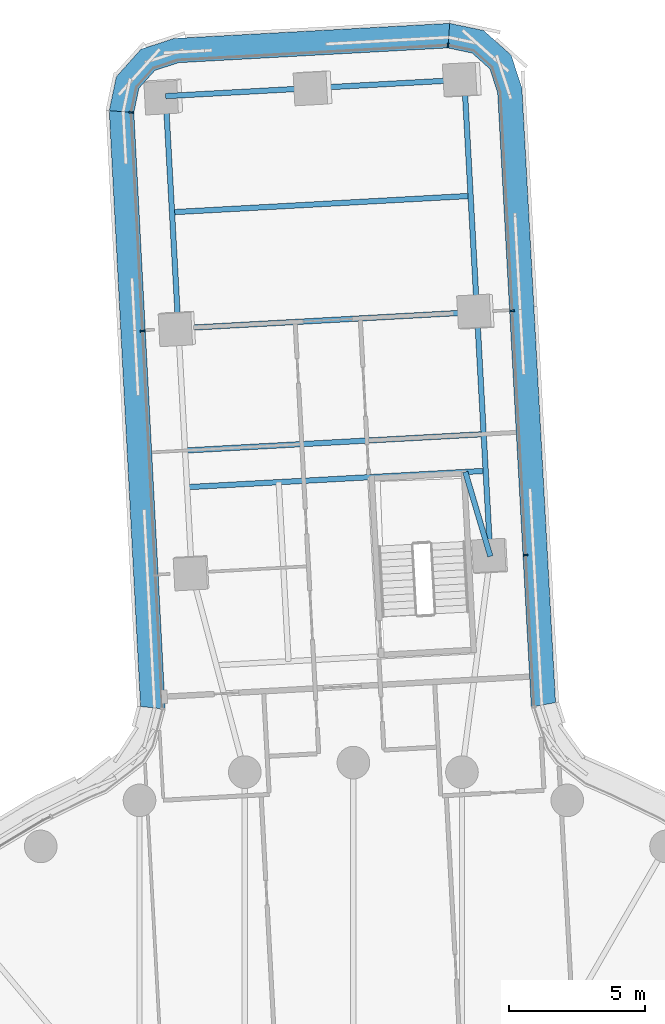
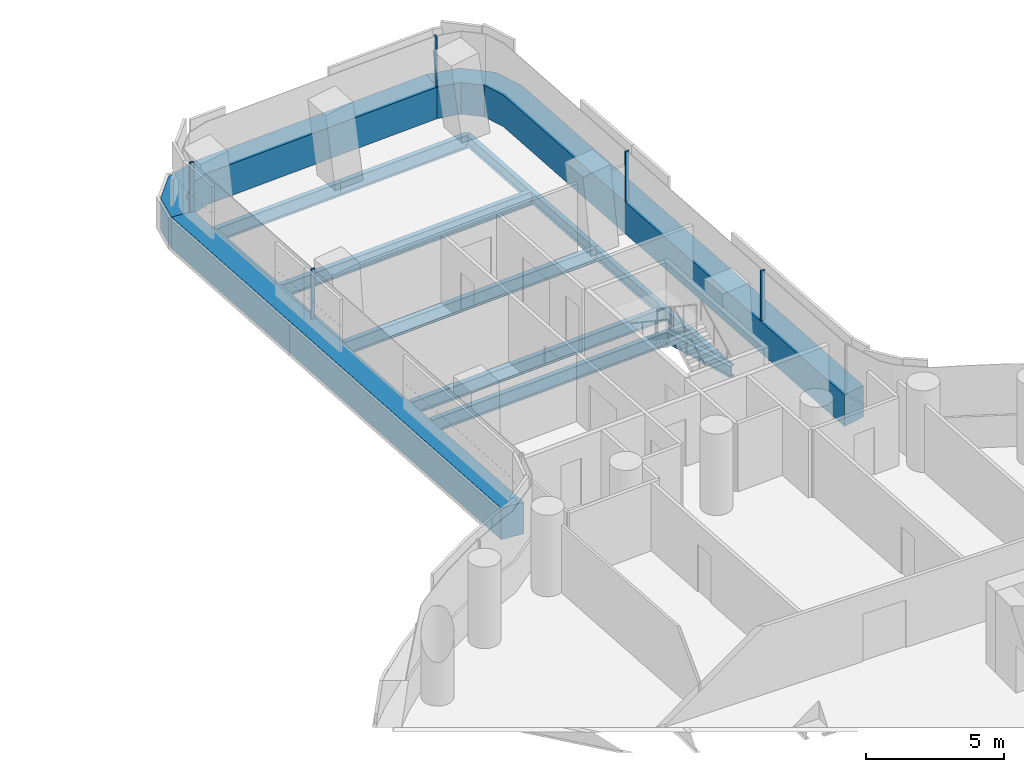
# One storey, part 15 of 31: 10 beams, 8 members, 3 elements without a shape of their own.
"""IFC4 building model written with IfcOpenShell, lengths in metres."""

import ifcopenshell
import ifcopenshell.guid

model = None  # the IFC model being written
_history = None  # IfcOwnerHistory: only IFC2X3 demands one
_inside = {}  # id of a spatial element -> (the spatial element, [elements in it])
_under = {}  # id of a project, library or spatial element -> (it, [spatial elements below it])
_declared = {}  # id of a project -> (the project, [libraries it declares])
_typed = {}  # id of a type object -> (the type object, [elements of that type])
_made_of = {}  # id of a material, layer set ... -> (it, [elements and type objects made of it])


def new_model(schema):
    """Start an empty IFC model of exactly this schema.

    Asked for "IFC4X3", IfcOpenShell would pick the latest addendum, in which some entities
    have other attributes; the version numbers below select the first issue.
    IFC2X3 requires an IfcOwnerHistory on every rooted entity: one is made here for all.
    """
    global model, _history
    if schema == "IFC4X3":
        model = ifcopenshell.file(schema_version=(4, 3, 0, 0))
    else:
        model = ifcopenshell.file(schema=schema)
    _inside.clear()
    _under.clear()
    _declared.clear()
    _typed.clear()
    _made_of.clear()
    _history = None
    if model.schema == "IFC2X3":
        org = make("IfcOrganization", Name="unknown")
        user = make(
            "IfcPersonAndOrganization",
            ThePerson=make("IfcPerson", FamilyName="unknown"),
            TheOrganization=org,
        )
        app = make(
            "IfcApplication",
            ApplicationDeveloper=org,
            Version="unknown",
            ApplicationFullName="unknown",
            ApplicationIdentifier="unknown",
        )
        _history = make(
            "IfcOwnerHistory",
            OwningUser=user,
            OwningApplication=app,
            ChangeAction="ADDED",
            CreationDate=0,
        )
    return model


def make(cls, **values):
    """One entity of the class cls with the attributes given. An attribute that is None is left unset."""
    return model.create_entity(
        cls, **{name: value for name, value in values.items() if value is not None}
    )


def rooted(cls, **values):
    """An entity with a GlobalId (a new one), such as an element, a storey or a relation."""
    return make(cls, GlobalId=ifcopenshell.guid.new(), OwnerHistory=_history, **values)


def si_unit(unit_type, name, prefix=None):
    """IfcSIUnit, for example si_unit("LENGTHUNIT", "METRE", prefix="MILLI")."""
    return make("IfcSIUnit", UnitType=unit_type, Prefix=prefix, Name=name)


def assignment(units):
    """IfcUnitAssignment: the units of a project."""
    return None if units is None else make("IfcUnitAssignment", Units=units)


def point(xyz):
    """IfcCartesianPoint."""
    return None if xyz is None else make("IfcCartesianPoint", Coordinates=xyz)


def direction(xyz):
    """IfcDirection."""
    return None if xyz is None else make("IfcDirection", DirectionRatios=xyz)


def frame(location, z_axis=None, x_axis=None):
    """IfcAxis2Placement3D, a coordinate frame: its origin and axes. An axis left out is left unset."""
    return make(
        "IfcAxis2Placement3D",
        Location=point(location),
        Axis=direction(z_axis),
        RefDirection=direction(x_axis),
    )


def frame_2d(location, x_axis=None):
    """IfcAxis2Placement2D, a coordinate frame in the plane: its origin and x axis."""
    return make(
        "IfcAxis2Placement2D", Location=point(location), RefDirection=direction(x_axis)
    )


def origin():
    """The frame at (0, 0, 0) with its axes left unset."""
    return frame((0.0, 0.0, 0.0))


def origin_2d():
    """The frame at (0, 0) in the plane with its x axis left unset."""
    return frame_2d((0.0, 0.0))


def place(relative_to, where):
    """IfcLocalPlacement: puts the frame where relative to a parent placement (None: the world)."""
    return make(
        "IfcLocalPlacement", PlacementRelTo=relative_to, RelativePlacement=where
    )


def context(
    kind, dimensions, precision=None, world=None, true_north=None, identifier=None
):
    """IfcGeometricRepresentationContext, for example the 3D "Model" context."""
    return make(
        "IfcGeometricRepresentationContext",
        ContextIdentifier=identifier,
        ContextType=kind,
        CoordinateSpaceDimension=dimensions,
        Precision=precision,
        WorldCoordinateSystem=world,
        TrueNorth=true_north,
    )


def subcontext(parent, identifier, kind, view, scale=None):
    """IfcGeometricRepresentationSubContext, for example "Body" below "Model"."""
    return make(
        "IfcGeometricRepresentationSubContext",
        ContextIdentifier=identifier,
        ContextType=kind,
        ParentContext=parent,
        TargetScale=scale,
        TargetView=view,
    )


def project(units=None, contexts=None):
    """IfcProject with its units and contexts."""
    return rooted(
        "IfcProject",
        Name="project",
        RepresentationContexts=contexts,
        UnitsInContext=assignment(units),
    )


def spatial(cls, under=None, at=None, **own):
    """A site, building, storey or space (cls), placed at a placement, below another one or the project."""
    s = rooted(cls, ObjectPlacement=at, **own)
    if under is not None:
        _under.setdefault(under.id(), (under, []))[1].append(s)
    return s


def polyline(points):
    """IfcPolyline through the points."""
    return make("IfcPolyline", Points=[point(p) for p in points])


def profile(cls, at=None, kind="AREA", **sizes):
    """A parametric profile (cls). Its sizes go by their IFC names, for example OverallWidth=200.0."""
    return make(cls, ProfileType=kind, Position=at, **sizes)


def rectangle(**sizes):
    """IfcRectangleProfileDef."""
    return profile("IfcRectangleProfileDef", **sizes)


def i_section(**sizes):
    """IfcIShapeProfileDef."""
    return profile("IfcIShapeProfileDef", **sizes)


def outline(outer, holes=None, kind="AREA"):
    """IfcArbitraryClosedProfileDef: a profile drawn as a closed curve; with holes, ...WithVoids."""
    if holes is None:
        return make("IfcArbitraryClosedProfileDef", ProfileType=kind, OuterCurve=outer)
    return make(
        "IfcArbitraryProfileDefWithVoids",
        ProfileType=kind,
        OuterCurve=outer,
        InnerCurves=holes,
    )


def extrude(swept, where, along, depth):
    """IfcExtrudedAreaSolid: the profile swept, set in the frame where, extruded along a direction by depth."""
    return make(
        "IfcExtrudedAreaSolid",
        SweptArea=swept,
        Position=where,
        ExtrudedDirection=direction(along),
        Depth=depth,
    )


def shape(context_of_items, identifier, shape_type, items):
    """IfcShapeRepresentation: the items that make up one representation, for example the "Body"."""
    return make(
        "IfcShapeRepresentation",
        ContextOfItems=context_of_items,
        RepresentationIdentifier=identifier,
        RepresentationType=shape_type,
        Items=items,
    )


def material(Name=None, Category=None):
    """IfcMaterial."""
    return make("IfcMaterial", Name=Name, Category=Category)


def layer(
    of_material, thickness, ventilated=None, Name=None, Category=None, Priority=None
):
    """IfcMaterialLayer: one layer of a wall or slab, of a material (None: an air gap)."""
    return make(
        "IfcMaterialLayer",
        Material=of_material,
        LayerThickness=thickness,
        IsVentilated=ventilated,
        Name=Name,
        Category=Category,
        Priority=Priority,
    )


def layer_set(layers, Name=None):
    """IfcMaterialLayerSet."""
    return make("IfcMaterialLayerSet", MaterialLayers=layers, LayerSetName=Name)


def material_profile(
    of_material, cross_section, Name=None, Category=None, Priority=None
):
    """IfcMaterialProfile: a cross section and its material."""
    return make(
        "IfcMaterialProfile",
        Name=Name,
        Material=of_material,
        Profile=cross_section,
        Priority=Priority,
        Category=Category,
    )


def profile_set(profiles, Name=None, composite=None):
    """IfcMaterialProfileSet."""
    return make(
        "IfcMaterialProfileSet",
        Name=Name,
        MaterialProfiles=profiles,
        CompositeProfile=composite,
    )


def made_of(thing, what):
    """Note that an element or type object is made of a material, layer set ...; save() writes the relation."""
    if what is not None:
        _made_of.setdefault(what.id(), (what, []))[1].append(thing)
    return thing


def type_object(cls, material=None, **own):
    """A type object (cls), such as IfcWallType, which elements share."""
    return made_of(rooted(cls, **own), material)


def element(
    cls,
    number,
    at=None,
    inside=None,
    cuts=None,
    type_object=None,
    material=None,
    context=None,
    identifier="Body",
    shape_type=None,
    held_by="IfcProductDefinitionShape",
    body=None,
    shapes=None,
    **own,
):
    """One element of the class cls, such as IfcWall. Its Tag is "e" and its number.

    at: its placement. inside: the storey or other place that contains it. cuts: it is an
    opening in that element (IfcRelVoidsElement). A single representation is given by context,
    identifier, shape_type and body (its items); several are given by shapes. held_by: the class
    of the entity that holds the representations. save() writes the other relations.
    """
    e = rooted(cls, Tag="e%d" % number, ObjectPlacement=at, **own)
    if body is not None:
        shapes = [shape(context, identifier, shape_type, body)]
    if shapes is not None:
        e.Representation = make(held_by, Representations=shapes)
    if inside is not None:
        _inside.setdefault(inside.id(), (inside, []))[1].append(e)
    if cuts is not None:
        rooted(
            "IfcRelVoidsElement", RelatingBuildingElement=cuts, RelatedOpeningElement=e
        )
    if type_object is not None:
        _typed.setdefault(type_object.id(), (type_object, []))[1].append(e)
    return made_of(e, material)


def aggregate(whole, parts):
    """IfcRelAggregates: a whole, such as a stair, and the parts it consists of."""
    return rooted("IfcRelAggregates", RelatingObject=whole, RelatedObjects=parts)


def save(model, path):
    """Write the relations noted so far, then the file.

    IfcRelAggregates (storeys below a building ...), IfcRelContainedInSpatialStructure (elements
    in a storey), IfcRelDefinesByType, IfcRelAssociatesMaterial and IfcRelDeclares: one each for
    every whole, place, type object, material and project.
    """
    for whole, parts in _under.values():
        aggregate(whole, parts)
    for where, things in _inside.values():
        rooted(
            "IfcRelContainedInSpatialStructure",
            RelatedElements=things,
            RelatingStructure=where,
        )
    for kind, things in _typed.values():
        rooted("IfcRelDefinesByType", RelatedObjects=things, RelatingType=kind)
    for what, things in _made_of.values():
        rooted("IfcRelAssociatesMaterial", RelatedObjects=things, RelatingMaterial=what)
    for by, libraries in _declared.values():
        rooted("IfcRelDeclares", RelatingContext=by, RelatedDefinitions=libraries)
    model.write(path)


model = new_model("IFC4")

# Units and contexts
model_context = context("Model", 3, precision=1e-05, world=origin(), true_north=direction((0.0, 1.0)))
body_context = subcontext(model_context, "Body", "Model", "MODEL_VIEW")
ifc_project = project(units=[si_unit("LENGTHUNIT", "METRE"), si_unit("AREAUNIT", "SQUARE_METRE"), si_unit("VOLUMEUNIT", "CUBIC_METRE"), si_unit("PLANEANGLEUNIT", "RADIAN"), si_unit("MASSUNIT", "GRAM", prefix="KILO")], contexts=[model_context])

# Site, building, storey
site_placement = place(None, origin())
site = spatial("IfcSite", under=ifc_project, at=site_placement, CompositionType="ELEMENT")
building_placement = place(site_placement, origin())
building = spatial("IfcBuilding", under=site, at=building_placement, Name="Tamarind Cross Interchange Tower", CompositionType="ELEMENT")
storey_placement = place(building_placement, frame((0.0, 0.0, 45.25)))
storey = spatial("IfcBuildingStorey", under=building, at=storey_placement, Name="L09", CompositionType="ELEMENT", Elevation=45.25)

# Beams
ifc_material_1 = material(Name="Steel Q355B", Category="steel")
ifc_material_profile_1 = material_profile(ifc_material_1, i_section(OverallWidth=0.198974609375, OverallDepth=0.49609375, WebThickness=0.009033203125, FlangeThickness=0.013916015625, FilletRadius=0.012939453125, at=origin_2d()), Name="HN 496x199x9x14")
ifc_profile_set_1 = profile_set([ifc_material_profile_1], Name="Steel Q355B")
beam_type_1 = type_object("IfcBeamType", Name="Composite beam HN 496x199x9x14 Q355B", PredefinedType="BEAM", material=ifc_profile_set_1)
beam_1_placement = place(storey_placement, frame((4.078125, 48.117431640625, -0.387939453125), z_axis=(0.054676590084, -0.998504116415, 0.0), x_axis=(0.998504116415, 0.054676590084, 0.0)))
element("IfcBeam", 1, at=beam_1_placement, inside=storey, type_object=beam_type_1, Name="Beam N-edgeem5", PredefinedType="BEAM", context=body_context, shape_type="SweptSolid", body=[
    extrude(i_section(OverallWidth=0.198974609375, OverallDepth=0.49609375, WebThickness=0.009033203125, FlangeThickness=0.013916015625, FilletRadius=0.012939453125, at=origin_2d()), origin(), (0.0, 0.0, 1.0), 8.55517578125),
])
beam_2_placement = place(storey_placement, frame((4.5458984375, 39.574951171875, -0.387939453125), z_axis=(0.054660208152, -0.99850501333, 0.0), x_axis=(0.99850501333, 0.054660208152, 0.0)))
element("IfcBeam", 2, at=beam_2_placement, inside=storey, type_object=beam_type_1, Name="Beam N-edgeem6", PredefinedType="BEAM", context=body_context, shape_type="SweptSolid", body=[
    extrude(i_section(OverallWidth=0.198974609375, OverallDepth=0.49609375, WebThickness=0.009033203125, FlangeThickness=0.013916015625, FilletRadius=0.012939453125, at=origin_2d()), origin(), (0.0, 0.0, 1.0), 9.0),
])
beam_3_placement = place(storey_placement, frame((-6.905517578125, 47.51611328125, -0.387939453125), z_axis=(0.054675032165, -0.998504201723, 0.0), x_axis=(0.998504201723, 0.054675032165, 0.0)))
element("IfcBeam", 3, at=beam_3_placement, inside=storey, type_object=beam_type_1, Name="Beam N-edgeep2", PredefinedType="BEAM", context=body_context, shape_type="SweptSolid", body=[
    extrude(i_section(OverallWidth=0.198974609375, OverallDepth=0.49609375, WebThickness=0.009033203125, FlangeThickness=0.013916015625, FilletRadius=0.012939453125, at=origin_2d()), origin(), (0.0, 0.0, 1.0), 8.555419921875),
])
beam_4_placement = place(storey_placement, frame((5.037841796875, 30.58837890625, -0.387939453125), z_axis=(-0.284406646049, 0.958703739266, 0.0), x_axis=(-0.958703739266, -0.284406646049, 0.0)))
element("IfcBeam", 4, at=beam_4_placement, inside=storey, type_object=beam_type_1, Name="Beam N-tr0", PredefinedType="BEAM", context=body_context, shape_type="SweptSolid", body=[
    extrude(i_section(OverallWidth=0.198974609375, OverallDepth=0.49609375, WebThickness=0.009033203125, FlangeThickness=0.013916015625, FilletRadius=0.012939453125, at=origin_2d()), origin(), (0.0, 0.0, 1.0), 3.238037109375),
])
ifc_material_profile_2 = material_profile(ifc_material_1, i_section(OverallWidth=0.199951171875, OverallDepth=0.60009765625, WebThickness=0.010986328125, FlangeThickness=0.01708984375, FilletRadius=0.012939453125, at=origin_2d()), Name="HN 600x200x11x17")
ifc_profile_set_2 = profile_set([ifc_material_profile_2], Name="Steel Q355B")
beam_type_2 = type_object("IfcBeamType", Name="Composite beam HN 600x200x11x17 Q355B", PredefinedType="BEAM", material=ifc_profile_set_2)
beam_5_placement = place(storey_placement, frame((4.078125, 48.117431640625, -0.43994140625), z_axis=(-0.998503613558, -0.054685772478, 0.0), x_axis=(0.054685772478, -0.998503613558, 0.0)))
element("IfcBeam", 5, at=beam_5_placement, inside=storey, type_object=beam_type_2, Name="Beam N-tip0", PredefinedType="BEAM", context=body_context, shape_type="SweptSolid", body=[
    extrude(i_section(OverallWidth=0.199951171875, OverallDepth=0.60009765625, WebThickness=0.010986328125, FlangeThickness=0.01708984375, FilletRadius=0.012939453125, at=origin_2d()), origin(), (0.0, 0.0, 1.0), 5.500244140625),
])
beam_6_placement = place(storey_placement, frame((-1.413818359375, 47.816650390625, -0.43994140625), z_axis=(-0.998505903795, -0.054643939165, 0.0), x_axis=(0.054643939165, -0.998505903795, 0.0)))
element("IfcBeam", 6, at=beam_6_placement, inside=storey, type_object=beam_type_2, Name="Beam N-tip1", PredefinedType="BEAM", context=body_context, shape_type="SweptSolid", body=[
    extrude(i_section(OverallWidth=0.199951171875, OverallDepth=0.60009765625, WebThickness=0.010986328125, FlangeThickness=0.01708984375, FilletRadius=0.012939453125, at=origin_2d()), origin(), (0.0, 0.0, 1.0), 5.5),
])
for number, where, z_axis, x_axis, name in (
    (7, (4.86572265625, 33.733642578125, -0.43994140625), (-0.998503547184, -0.05468698438, 0.0), (0.05468698438, -0.998503547184, 0.0), "Beam N-x334"),
    (8, (4.5458984375, 39.574951171875, -0.43994140625), (-0.998503547184, -0.05468698438, 0.0), (0.05468698438, -0.998503547184, 0.0), "Beam N-x393"),
    (9, (4.7919921875, 35.08154296875, -0.43994140625), (-0.998504758869, -0.054664856323, 0.0), (0.054664856323, -0.998504758869, 0.0), "Beam N-x348"),
    (10, (4.31201171875, 43.84619140625, -0.43994140625), (-0.998503547184, -0.05468698438, 0.0), (0.05468698438, -0.998503547184, 0.0), "Beam N-x436"),
):
    element("IfcBeam", number, at=place(storey_placement, frame(where, z_axis=z_axis, x_axis=x_axis)), inside=storey, type_object=beam_type_2, Name=name, PredefinedType="BEAM", context=body_context, shape_type="SweptSolid", body=[
        extrude(i_section(OverallWidth=0.199951171875, OverallDepth=0.60009765625, WebThickness=0.010986328125, FlangeThickness=0.01708984375, FilletRadius=0.012939453125, at=origin_2d()), origin(), (0.0, 0.0, 1.0), 11.0),
    ])

# Curtain wall, member
ifc_material_2 = material(Name="Aluminium 6063-T6", Category="aluminium")
ifc_layer = layer(ifc_material_2, 0.159912109375)
ifc_layer_set = layer_set([ifc_layer], Name="Aluminium 6063-T6")
curtain_wall_type = type_object("IfcCurtainWallType", Name="Office curtain wall, 9.0 m bays", PredefinedType="NOTDEFINED", material=ifc_layer_set)
curtain_wall_1_placement = place(storey_placement, origin())
curtain_wall_1 = element("IfcCurtainWall", 11, at=curtain_wall_1_placement, inside=storey, type_object=curtain_wall_type, Name="CWS-L09-11", PredefinedType="NOTDEFINED")
ifc_material_3 = material(Name="Aluminium and insulated spandrel panel", Category="aluminium")
member_type_1 = type_object("IfcMemberType", Name="Floor-edge blade transom", PredefinedType="USERDEFINED", material=ifc_material_3)
member_1_placement = place(storey_placement, origin())
member_1 = element("IfcMember", 12, at=member_1_placement, type_object=member_type_1, Name="CWT-L09-11", ObjectType="TRANSOM", PredefinedType="USERDEFINED", context=body_context, shape_type="SweptSolid", body=[
    extrude(outline(polyline([(6.54345703125, 25.04296875), (5.3056640625, 47.64453125), (5.020751953125, 48.514404296875), (4.36962890625, 49.097900390625), (3.4736328125, 49.2861328125), (3.542724609375, 50.19140625), (4.79052734375, 49.92919921875), (5.801025390625, 49.023681640625), (6.197998046875, 47.81201171875), (7.435546875, 25.20947265625), (6.54345703125, 25.04296875)])), origin(), (0.0, 0.0, 1.0), 1.39990234375),
])

curtain_wall_2_placement = place(storey_placement, origin())
curtain_wall_2 = element("IfcCurtainWall", 13, at=curtain_wall_2_placement, inside=storey, type_object=curtain_wall_type, Name="CWS-L09-12", PredefinedType="NOTDEFINED")
member_2_placement = place(storey_placement, origin())
member_2 = element("IfcMember", 14, at=member_2_placement, type_object=member_type_1, Name="CWT-L09-12", ObjectType="TRANSOM", PredefinedType="USERDEFINED", context=body_context, shape_type="SweptSolid", body=[
    extrude(outline(polyline([(3.4736328125, 49.2861328125), (-6.432373046875, 48.74365234375), (-7.30224609375, 48.458740234375), (-7.885986328125, 47.8076171875), (-8.07421875, 46.911376953125), (-8.979248046875, 46.9814453125), (-8.71728515625, 48.228515625), (-7.811767578125, 49.239013671875), (-6.599853515625, 49.635986328125), (3.542724609375, 50.19140625), (3.4736328125, 49.2861328125)])), origin(), (0.0, 0.0, 1.0), 1.39990234375),
])

curtain_wall_3_placement = place(storey_placement, origin())
curtain_wall_3 = element("IfcCurtainWall", 15, at=curtain_wall_3_placement, inside=storey, type_object=curtain_wall_type, Name="CWS-L09-13", PredefinedType="NOTDEFINED")
member_3_placement = place(storey_placement, origin())
member_3 = element("IfcMember", 16, at=member_3_placement, type_object=member_type_1, Name="CWT-L09-13", ObjectType="TRANSOM", PredefinedType="USERDEFINED", context=body_context, shape_type="SweptSolid", body=[
    extrude(outline(polyline([(-8.07421875, 46.911376953125), (-6.921142578125, 24.969970703125), (-7.827392578125, 25.063720703125), (-8.979248046875, 46.9814453125), (-8.07421875, 46.911376953125)])), origin(), (0.0, 0.0, 1.0), 1.39990234375),
])

# Member
ifc_material_profile_3 = material_profile(ifc_material_2, rectangle(XDim=0.06005859375, YDim=0.159912109375, at=origin_2d()), Name="Mullion CW1")
ifc_profile_set_3 = profile_set([ifc_material_profile_3], Name="Aluminium 6063-T6")
member_type_2 = type_object("IfcMemberType", Name="Mullion CW1", PredefinedType="MULLION", material=ifc_profile_set_3)
member_4_placement = place(storey_placement, frame((6.33740234375, 30.63330078125, 1.39990234375), z_axis=(0.0, 0.0, 1.0), x_axis=(-0.054678317891, 0.998504021801, 0.0)))
member_4 = element("IfcMember", 17, at=member_4_placement, type_object=member_type_2, Name="CWM-L09-11-01", PredefinedType="MULLION", context=body_context, shape_type="SweptSolid", body=[
    extrude(rectangle(XDim=0.06005859375, YDim=0.159912109375, at=origin_2d()), origin(), (0.0, 0.0, 1.0), 2.210205078125),
])

member_5_placement = place(storey_placement, frame((5.84521484375, 39.61962890625, 1.39990234375), z_axis=(0.0, 0.0, 1.0), x_axis=(-0.054678317891, 0.998504021801, 0.0)))
member_5 = element("IfcMember", 18, at=member_5_placement, type_object=member_type_2, Name="CWM-L09-11-02", PredefinedType="MULLION", context=body_context, shape_type="SweptSolid", body=[
    extrude(rectangle(XDim=0.06005859375, YDim=0.159912109375, at=origin_2d()), origin(), (0.0, 0.0, 1.0), 2.210205078125),
])

aggregate(curtain_wall_1, [member_4, member_5, member_1])

member_6_placement = place(storey_placement, frame((3.4814453125, 49.38671875, 1.39990234375), z_axis=(0.0, 0.0, 1.0), x_axis=(-0.997098634107, 0.07612039058, 0.0)))
member_6 = element("IfcMember", 19, at=member_6_placement, type_object=member_type_2, Name="CWM-L09-12-00", PredefinedType="MULLION", context=body_context, shape_type="SweptSolid", body=[
    extrude(rectangle(XDim=0.06005859375, YDim=0.159912109375, at=origin_2d()), origin(), (0.0, 0.0, 1.0), 2.210205078125),
])

aggregate(curtain_wall_2, [member_6, member_2])

member_7_placement = place(storey_placement, frame((-8.1748046875, 46.919189453125, 1.39990234375), z_axis=(0.0, 0.0, 1.0), x_axis=(-0.077218938957, -0.997014160113, 0.0)))
member_7 = element("IfcMember", 20, at=member_7_placement, type_object=member_type_2, Name="CWM-L09-13-00", PredefinedType="MULLION", context=body_context, shape_type="SweptSolid", body=[
    extrude(rectangle(XDim=0.06005859375, YDim=0.159912109375, at=origin_2d()), origin(), (0.0, 0.0, 1.0), 2.210205078125),
])

member_8_placement = place(storey_placement, frame((-7.751953125, 38.873046875, 1.39990234375), z_axis=(0.0, 0.0, 1.0), x_axis=(0.052477900426, -0.998622085659, 0.0)))
member_8 = element("IfcMember", 21, at=member_8_placement, type_object=member_type_2, Name="CWM-L09-13-01", PredefinedType="MULLION", context=body_context, shape_type="SweptSolid", body=[
    extrude(rectangle(XDim=0.06005859375, YDim=0.159912109375, at=origin_2d()), origin(), (0.0, 0.0, 1.0), 2.210205078125),
])

aggregate(curtain_wall_3, [member_7, member_8, member_3])

save(model, "model.ifc")
